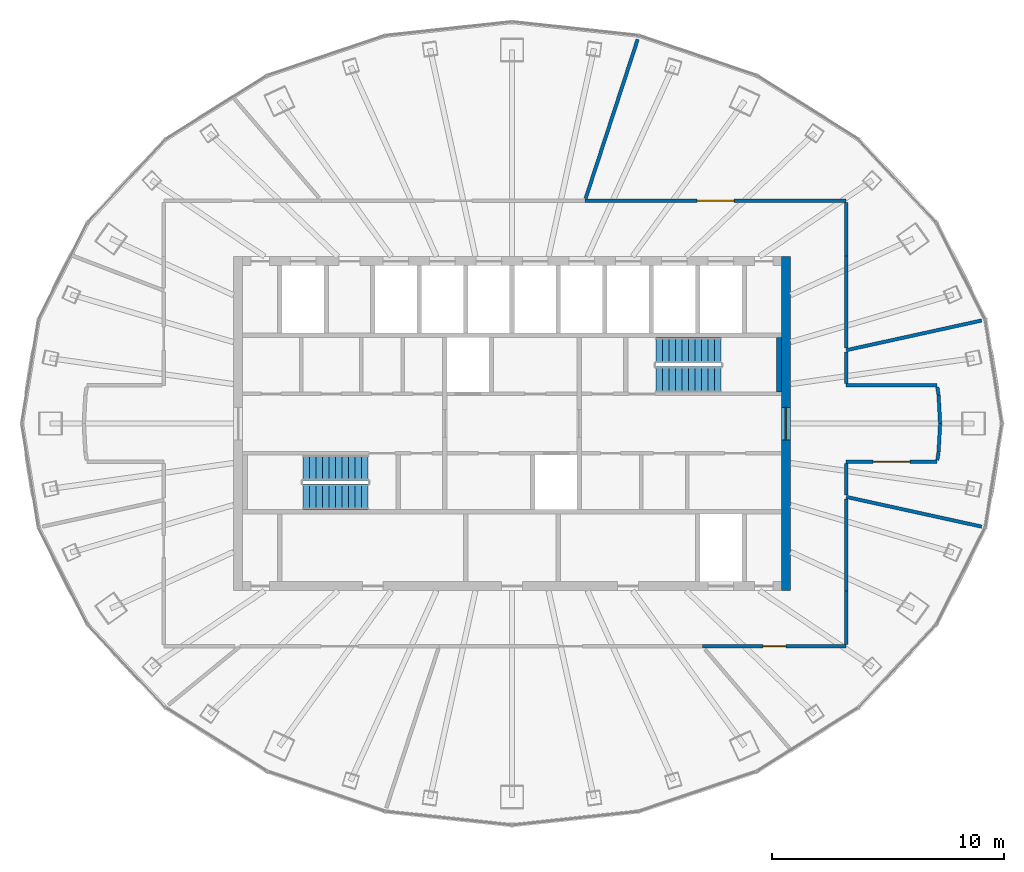
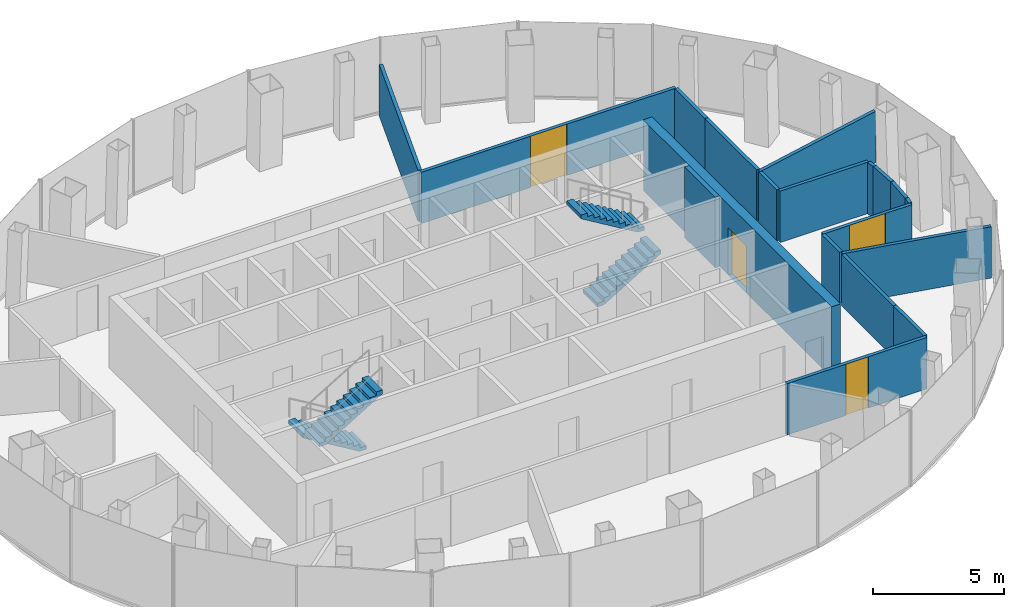
# One storey, part 10 of 11: 19 walls, 4 doors, 4 stair flights, 4 openings, 2 elements without a shape of their own.
"""IFC4 building model written with IfcOpenShell, lengths in metres."""

from ifc_helpers import new_model, si_unit, direction, frame, frame_2d, origin, place, context, subcontext, project, spatial, polyline, rectangle, outline, extrude, material, layer, layer_set, type_object, element, fill, aggregate, save


model = new_model("IFC4")

# Units and contexts
model_context = context("Model", 3, precision=1e-05, world=origin(), true_north=direction((0.0, 1.0)))
body_context = subcontext(model_context, "Body", "Model", "MODEL_VIEW")
ifc_project = project(units=[si_unit("LENGTHUNIT", "METRE"), si_unit("AREAUNIT", "SQUARE_METRE"), si_unit("VOLUMEUNIT", "CUBIC_METRE"), si_unit("PLANEANGLEUNIT", "RADIAN"), si_unit("MASSUNIT", "GRAM", prefix="KILO")], contexts=[model_context])

# Site, building, storey
site_placement = place(None, origin())
site = spatial("IfcSite", under=ifc_project, at=site_placement, CompositionType="ELEMENT")
building_placement = place(site_placement, origin())
building = spatial("IfcBuilding", under=site, at=building_placement, Name="Siaravel Broadcast Tower", CompositionType="ELEMENT")
storey_placement = place(building_placement, frame((0.0, 0.0, 246.699951171875)))
storey = spatial("IfcBuildingStorey", under=building, at=storey_placement, Name="L60", CompositionType="ELEMENT", Elevation=246.699951171875)

# Wall, opening, door
ifc_material_1 = material(Name="Concrete C60/75", Category="concrete")
ifc_layer_1 = layer(ifc_material_1, 0.39990234375)
ifc_layer_set_1 = layer_set([ifc_layer_1], Name="Concrete C60/75")
wall_type_1 = type_object("IfcWallType", Name="Core wall 400", PredefinedType="SHEAR", material=ifc_layer_set_1)
wall_1_placement = place(storey_placement, frame((11.800048828125, -7.199951171875, 0.0), z_axis=(0.0, 0.0, 1.0), x_axis=(0.0, 1.0, 0.0)))
wall_1 = element("IfcWall", 1, at=wall_1_placement, inside=storey, type_object=wall_type_1, Name="L60 core wall OE", PredefinedType="SHEAR", context=body_context, shape_type="SweptSolid", body=[
    extrude(rectangle(XDim=14.39990234375, YDim=0.39990234375, at=frame_2d((7.199951171875, 0.0))), origin(), (0.0, 0.0, 1.0), 3.300048828125),
])
opening_1_placement = place(wall_1_placement, frame((6.5, 0.0, 0.0)))
opening_1 = element("IfcOpeningElement", 2, at=opening_1_placement, cuts=wall_1, Name="Opening L60-DX-E", PredefinedType="OPENING", context=body_context, shape_type="SweptSolid", body=[
    extrude(rectangle(XDim=1.39990234375, YDim=2.199951171875, at=frame_2d((0.699951171875, 1.10009765625))), frame((0.0, 0.2099609375, 0.0), z_axis=(0.0, -1.0, 0.0), x_axis=(1.0, 0.0, 0.0)), (0.0, 0.0, 1.0), 0.419921875),
])
ifc_material_2 = material(Name="Steel", Category="steel")
door_type_1 = type_object("IfcDoorType", Name="Core exit door 1400", OperationType="DOUBLE_DOOR_SINGLE_SWING", PredefinedType="DOOR", material=ifc_material_2)
door_1_placement = place(opening_1_placement, origin())
door_1 = element("IfcDoor", 3, at=door_1_placement, inside=storey, type_object=door_type_1, Name="L60 door DX-E", OperationType="DOUBLE_DOOR_SINGLE_SWING", OverallHeight=2.199951171875, OverallWidth=1.39990234375, PredefinedType="DOOR", context=body_context, shape_type="SweptSolid", body=[
    extrude(rectangle(XDim=1.39990234375, YDim=2.199951171875, at=frame_2d((0.699951171875, 1.10009765625))), frame((0.0, 0.02490234375, 0.0), z_axis=(0.0, -1.0, 0.0), x_axis=(1.0, 0.0, 0.0)), (0.0, 0.0, 1.0), 0.050048828125),
])
fill(opening_1, door_1)

ifc_material_3 = material(Name="Gypsum board partition", Category="gypsum")
ifc_layer_2 = layer(ifc_material_3, 0.14990234375)
ifc_layer_set_2 = layer_set([ifc_layer_2], Name="Gypsum board partition")
wall_type_2 = type_object("IfcWallType", Name="Corridor wall 150", PredefinedType="PARTITIONING", material=ifc_layer_set_2)
wall_2_placement = place(storey_placement, frame((14.39990234375, 9.60009765625, 0.0), z_axis=(0.0, 0.0, 1.0), x_axis=(-1.0, 0.0, 0.0)))
wall_2 = element("IfcWall", 4, at=wall_2_placement, inside=storey, type_object=wall_type_2, Name="L60 partition 3", PredefinedType="PARTITIONING", context=body_context, shape_type="SweptSolid", body=[
    extrude(rectangle(XDim=11.258544921875, YDim=0.14990234375, at=frame_2d((5.62939453125, 0.0))), origin(), (0.0, 0.0, 1.0), 2.400146484375),
])
opening_2_placement = place(wall_2_placement, frame((4.829345703125, 0.0, 0.0)))
opening_2 = element("IfcOpeningElement", 5, at=opening_2_placement, cuts=wall_2, Name="Opening L60-007", PredefinedType="OPENING", context=body_context, shape_type="SweptSolid", body=[
    extrude(rectangle(XDim=1.60009765625, YDim=2.39990234375, at=frame_2d((0.800048828125, 1.199951171875))), frame((0.0, 0.0849609375, 0.0), z_axis=(0.0, -1.0, 0.0), x_axis=(1.0, 0.0, 0.0)), (0.0, 0.0, 1.0), 0.169921875),
])
ifc_material_4 = material(Name="Timber veneer", Category="wood")
door_type_2 = type_object("IfcDoorType", Name="Restaurant double door 1600", OperationType="DOUBLE_DOOR_SINGLE_SWING", PredefinedType="DOOR", material=ifc_material_4)
door_2_placement = place(opening_2_placement, origin())
door_2 = element("IfcDoor", 6, at=door_2_placement, inside=storey, type_object=door_type_2, Name="L60 door to Restaurant", OperationType="DOUBLE_DOOR_SINGLE_SWING", OverallHeight=2.39990234375, OverallWidth=1.60009765625, PredefinedType="DOOR", context=body_context, shape_type="SweptSolid", body=[
    extrude(rectangle(XDim=1.60009765625, YDim=2.39990234375, at=frame_2d((0.800048828125, 1.199951171875))), frame((0.0, 0.02490234375, 0.0), z_axis=(0.0, -1.0, 0.0), x_axis=(1.0, 0.0, 0.0)), (0.0, 0.0, 1.0), 0.050048828125),
])
fill(opening_2, door_2)

wall_3_placement = place(storey_placement, frame((8.20654296875, -9.60009765625, 0.0), z_axis=(0.0, 0.0, 1.0), x_axis=(1.0, 0.0, 0.0)))
wall_3 = element("IfcWall", 7, at=wall_3_placement, inside=storey, type_object=wall_type_2, Name="L60 partition 8", PredefinedType="PARTITIONING", context=body_context, shape_type="SweptSolid", body=[
    extrude(rectangle(XDim=6.193359375, YDim=0.14990234375, at=frame_2d((3.0966796875, 0.0))), origin(), (0.0, 0.0, 1.0), 2.400146484375),
])
opening_3_placement = place(wall_3_placement, frame((2.5966796875, 0.0, 0.0)))
opening_3 = element("IfcOpeningElement", 8, at=opening_3_placement, cuts=wall_3, Name="Opening L60-005", PredefinedType="OPENING", context=body_context, shape_type="SweptSolid", body=[
    extrude(rectangle(XDim=1.0, YDim=2.39990234375, at=frame_2d((0.5, 1.199951171875))), frame((0.0, 0.0849609375, 0.0), z_axis=(0.0, -1.0, 0.0), x_axis=(1.0, 0.0, 0.0)), (0.0, 0.0, 1.0), 0.169921875),
])
door_type_3 = type_object("IfcDoorType", Name="Executive office door 1000", OperationType="SINGLE_SWING_LEFT", PredefinedType="DOOR", material=ifc_material_4)
door_3_placement = place(opening_3_placement, origin())
door_3 = element("IfcDoor", 9, at=door_3_placement, inside=storey, type_object=door_type_3, Name="L60 door to Executive office", OperationType="SINGLE_SWING_LEFT", OverallHeight=2.39990234375, OverallWidth=1.0, PredefinedType="DOOR", context=body_context, shape_type="SweptSolid", body=[
    extrude(rectangle(XDim=1.0, YDim=2.39990234375, at=frame_2d((0.5, 1.199951171875))), frame((0.0, 0.02490234375, 0.0), z_axis=(0.0, -1.0, 0.0), x_axis=(1.0, 0.0, 0.0)), (0.0, 0.0, 1.0), 0.050048828125),
])
fill(opening_3, door_3)

# Walls
for number, where, z_axis, x_axis, name in (
    (10, (14.39990234375, -7.2119140625, 0.0), (0.0, 0.0, 1.0), (0.0, 1.0, 0.0), "L60 partition 16"),
    (11, (14.39990234375, 3.255859375, 0.0), (0.0, 0.0, 1.0), (0.0, 1.0, 0.0), "L60 partition 17"),
):
    element("IfcWall", number, at=place(storey_placement, frame(where, z_axis=z_axis, x_axis=x_axis)), inside=storey, type_object=wall_type_2, Name=name, PredefinedType="PARTITIONING", context=body_context, shape_type="SweptSolid", body=[
        extrude(rectangle(XDim=3.9560546875, YDim=0.14990234375, at=frame_2d((1.97802734375, 0.0))), origin(), (0.0, 0.0, 1.0), 2.400146484375),
    ])

# Wall, opening, door
wall_4_placement = place(storey_placement, frame((14.39990234375, -1.64990234375, 0.0), z_axis=(0.0, 0.0, 1.0), x_axis=(1.0, 0.0, 0.0)))
wall_4 = element("IfcWall", 12, at=wall_4_placement, inside=storey, type_object=wall_type_2, Name="L60 partition 20", PredefinedType="PARTITIONING", context=body_context, shape_type="SweptSolid", body=[
    extrude(rectangle(XDim=3.910888671875, YDim=0.14990234375, at=frame_2d((1.95556640625, 0.0))), origin(), (0.0, 0.0, 1.0), 2.400146484375),
])
opening_4_placement = place(wall_4_placement, frame((1.155517578125, 0.0, 0.0)))
opening_4 = element("IfcOpeningElement", 13, at=opening_4_placement, cuts=wall_4, Name="Opening L60-006", PredefinedType="OPENING", context=body_context, shape_type="SweptSolid", body=[
    extrude(rectangle(XDim=1.60009765625, YDim=2.39990234375, at=frame_2d((0.800048828125, 1.199951171875))), frame((0.0, 0.0849609375, 0.0), z_axis=(0.0, -1.0, 0.0), x_axis=(1.0, 0.0, 0.0)), (0.0, 0.0, 1.0), 0.169921875),
])
door_4_placement = place(opening_4_placement, origin())
door_4 = element("IfcDoor", 14, at=door_4_placement, inside=storey, type_object=door_type_2, Name="L60 door to Lounge", OperationType="DOUBLE_DOOR_SINGLE_SWING", OverallHeight=2.39990234375, OverallWidth=1.60009765625, PredefinedType="DOOR", context=body_context, shape_type="SweptSolid", body=[
    extrude(rectangle(XDim=1.60009765625, YDim=2.39990234375, at=frame_2d((0.800048828125, 1.199951171875))), frame((0.0, 0.02490234375, 0.0), z_axis=(0.0, -1.0, 0.0), x_axis=(1.0, 0.0, 0.0)), (0.0, 0.0, 1.0), 0.050048828125),
])
fill(opening_4, door_4)

# Walls
wall_5_placement = place(storey_placement, frame((18.310791015625, 1.64990234375, 0.0), z_axis=(0.0, 0.0, 1.0), x_axis=(-1.0, 0.0, 0.0)))
element("IfcWall", 15, at=wall_5_placement, inside=storey, type_object=wall_type_2, Name="L60 partition 21", PredefinedType="PARTITIONING", context=body_context, shape_type="SweptSolid", body=[
    extrude(rectangle(XDim=3.910888671875, YDim=0.14990234375, at=frame_2d((1.95556640625, 0.0))), origin(), (0.0, 0.0, 1.0), 2.400146484375),
])
for number, where, z_axis, x_axis, name in (
    (16, (14.39990234375, -9.52294921875, 0.0), (0.0, 0.0, 1.0), (0.0, 1.0, 0.0), "L60 partition 27"),
    (17, (14.39990234375, 7.212890625, 0.0), (0.0, 0.0, 1.0), (0.0, 1.0, 0.0), "L60 partition 28"),
):
    element("IfcWall", number, at=place(storey_placement, frame(where, z_axis=z_axis, x_axis=x_axis)), inside=storey, type_object=wall_type_2, Name=name, PredefinedType="PARTITIONING", context=body_context, shape_type="SweptSolid", body=[
        extrude(rectangle(XDim=2.31005859375, YDim=0.14990234375, at=frame_2d((1.155029296875, 0.0))), origin(), (0.0, 0.0, 1.0), 2.400146484375),
    ])
for number, where, z_axis, x_axis, name in (
    (18, (14.39990234375, -3.085205078125, 0.0), (0.0, 0.0, 1.0), (0.0, 1.0, 0.0), "L60 partition 30"),
    (19, (14.39990234375, 1.72705078125, 0.0), (0.0, 0.0, 1.0), (0.0, 1.0, 0.0), "L60 partition 31"),
):
    element("IfcWall", number, at=place(storey_placement, frame(where, z_axis=z_axis, x_axis=x_axis)), inside=storey, type_object=wall_type_2, Name=name, PredefinedType="PARTITIONING", context=body_context, shape_type="SweptSolid", body=[
        extrude(rectangle(XDim=1.358154296875, YDim=0.14990234375, at=frame_2d((0.67919921875, 0.0))), origin(), (0.0, 0.0, 1.0), 2.400146484375),
    ])
wall_6_placement = place(storey_placement, frame((18.37890625, -1.2255859375, 0.0), z_axis=(0.0, 0.0, 1.0), x_axis=(0.053310538, 0.998577982, 0.0)))
element("IfcWall", 20, at=wall_6_placement, inside=storey, type_object=wall_type_2, Name="L60 partition 35", PredefinedType="PARTITIONING", context=body_context, shape_type="SweptSolid", body=[
    extrude(rectangle(XDim=1.227294921875, YDim=0.14990234375, at=frame_2d((0.61376953125, 0.0))), origin(), (0.0, 0.0, 1.0), 2.400146484375),
])
wall_7_placement = place(storey_placement, frame((18.443603515625, 0.010009765625, 0.0), z_axis=(0.0, 0.0, 1.0), x_axis=(-0.053148314, 0.99858663, 0.0)))
element("IfcWall", 21, at=wall_7_placement, inside=storey, type_object=wall_type_2, Name="L60 partition 36", PredefinedType="PARTITIONING", context=body_context, shape_type="SweptSolid", body=[
    extrude(rectangle(XDim=1.21728515625, YDim=0.14990234375, at=frame_2d((0.608642578125, 0.0))), origin(), (0.0, 0.0, 1.0), 2.400146484375),
])
for number, where, z_axis, x_axis, name in (
    (22, (18.32275390625, -1.574951171875, 0.0), (0.0, 0.0, 1.0), (0.158406053, 0.987374054, 0.0), "L60 partition 39"),
    (23, (18.377197265625, 1.235595703125, 0.0), (0.0, 0.0, 1.0), (-0.158406053, 0.987374054, 0.0), "L60 partition 40"),
):
    element("IfcWall", number, at=place(storey_placement, frame(where, z_axis=z_axis, x_axis=x_axis)), inside=storey, type_object=wall_type_2, Name=name, PredefinedType="PARTITIONING", context=body_context, shape_type="SweptSolid", body=[
        extrude(rectangle(XDim=0.34375, YDim=0.14990234375, at=frame_2d((0.171875, 0.0))), origin(), (0.0, 0.0, 1.0), 2.400146484375),
    ])
ifc_layer_3 = layer(ifc_material_3, 0.14990234375)
ifc_layer_set_3 = layer_set([ifc_layer_3], Name="Gypsum board partition")
wall_type_3 = type_object("IfcWallType", Name="Room partition 150", PredefinedType="PARTITIONING", material=ifc_layer_set_3)
wall_8_placement = place(storey_placement, frame((5.4150390625, 16.553955078125, 0.0), z_axis=(0.0, 0.0, 1.0), x_axis=(-0.31090061, -0.950442429, 0.0)))
element("IfcWall", 24, at=wall_8_placement, inside=storey, type_object=wall_type_3, Name="L60 partition 6", PredefinedType="PARTITIONING", context=body_context, shape_type="SweptSolid", body=[
    extrude(rectangle(XDim=7.211181640625, YDim=0.14990234375, at=frame_2d((3.60546875, 0.0))), origin(), (0.0, 0.0, 1.0), 2.400146484375),
])
wall_9_placement = place(storey_placement, frame((20.23291015625, -4.440673828125, 0.0), z_axis=(0.0, 0.0, 1.0), x_axis=(-0.976749355, 0.214384464, 0.0)))
element("IfcWall", 25, at=wall_9_placement, inside=storey, type_object=wall_type_3, Name="L60 partition 9", PredefinedType="PARTITIONING", context=body_context, shape_type="SweptSolid", body=[
    extrude(rectangle(XDim=5.971923828125, YDim=0.14990234375, at=frame_2d((2.98583984375, 0.0))), origin(), (0.0, 0.0, 1.0), 2.400146484375),
])
wall_10_placement = place(storey_placement, frame((20.2314453125, 4.4404296875, 0.0), z_axis=(0.0, 0.0, 1.0), x_axis=(-0.976746641, -0.214396828, 0.0)))
element("IfcWall", 26, at=wall_10_placement, inside=storey, type_object=wall_type_3, Name="L60 partition 10", PredefinedType="PARTITIONING", context=body_context, shape_type="SweptSolid", body=[
    extrude(rectangle(XDim=5.970458984375, YDim=0.14990234375, at=frame_2d((2.9853515625, 0.0))), origin(), (0.0, 0.0, 1.0), 2.400146484375),
])
ifc_layer_4 = layer(ifc_material_1, 0.199951171875)
ifc_layer_set_4 = layer_set([ifc_layer_4], Name="Concrete C60/75")
wall_type_4 = type_object("IfcWallType", Name="Shaft wall 200", PredefinedType="SHEAR", material=ifc_layer_set_4)
wall_11_placement = place(storey_placement, frame((11.5, 1.35009765625, 0.0), z_axis=(0.0, 0.0, 1.0), x_axis=(0.0, 1.0, 0.0)))
element("IfcWall", 27, at=wall_11_placement, inside=storey, type_object=wall_type_4, Name="L60 core wall ST2E", PredefinedType="SHEAR", context=body_context, shape_type="SweptSolid", body=[
    extrude(rectangle(XDim=2.349853515625, YDim=0.199951171875, at=frame_2d((1.1748046875, 0.0))), origin(), (0.0, 0.0, 1.0), 3.300048828125),
])

# Stair, stair flights
ifc_material_5 = material(Name="Concrete C40/50", Category="concrete")
stair_type = type_object("IfcStairType", Name="Core exit stair", PredefinedType="HALF_TURN_STAIR", material=ifc_material_5)
stair_1_placement = place(storey_placement, origin())
stair_1 = element("IfcStair", 28, at=stair_1_placement, inside=storey, type_object=stair_type, Name="L60 Exit stair ST-1", PredefinedType="HALF_TURN_STAIR")
stair_flight_type = type_object("IfcStairFlightType", Name="Stair flight 1100", PredefinedType="STRAIGHT", material=ifc_material_5)
stair_flight_1_placement = place(storey_placement, frame((-6.199951171875, -1.89990234375, 0.0), z_axis=(0.0, 0.0, 1.0), x_axis=(-1.0, 0.0, 0.0)))
stair_flight_1 = element("IfcStairFlight", 29, at=stair_flight_1_placement, type_object=stair_flight_type, Name="ST-1 flight 1", NumberOfRisers=11, NumberOfTreads=10, PredefinedType="STRAIGHT", RiserHeight=0.1681818, TreadLength=0.28, context=body_context, shape_type="SweptSolid", body=[
    extrude(outline(polyline([(0.0, 0.0), (0.0, 0.168212890625), (0.280029296875, 0.168212890625), (0.280029296875, 0.33642578125), (0.56005859375, 0.33642578125), (0.56005859375, 0.504638671875), (0.840087890625, 0.504638671875), (0.840087890625, 0.672607421875), (1.1201171875, 0.672607421875), (1.1201171875, 0.8408203125), (1.39990234375, 0.8408203125), (1.39990234375, 1.009033203125), (1.679931640625, 1.009033203125), (1.679931640625, 1.17724609375), (1.9599609375, 1.17724609375), (1.9599609375, 1.345458984375), (2.239990234375, 1.345458984375), (2.239990234375, 1.513671875), (2.52001953125, 1.513671875), (2.52001953125, 1.681884765625), (2.800048828125, 1.681884765625), (2.800048828125, 1.85009765625), (2.800048828125, 1.5068359375), (0.291015625, 0.0), (0.0, 0.0)])), frame((0.0, 0.550048828125, 0.0), z_axis=(0.0, -1.0, 0.0), x_axis=(1.0, 0.0, 0.0)), (0.0, 0.0, 1.0), 1.10009765625),
])
stair_flight_2_placement = place(storey_placement, frame((-9.0, -3.14990234375, 1.85009765625), z_axis=(0.0, 0.0, 1.0), x_axis=(1.0, 0.0, 0.0)))
stair_flight_2 = element("IfcStairFlight", 30, at=stair_flight_2_placement, type_object=stair_flight_type, Name="ST-1 flight 2", NumberOfRisers=11, NumberOfTreads=10, PredefinedType="STRAIGHT", RiserHeight=0.1681818, TreadLength=0.28, context=body_context, shape_type="SweptSolid", body=[
    extrude(outline(polyline([(0.0, 0.0), (0.0, 0.168212890625), (0.280029296875, 0.168212890625), (0.280029296875, 0.33642578125), (0.56005859375, 0.33642578125), (0.56005859375, 0.504638671875), (0.840087890625, 0.504638671875), (0.840087890625, 0.672607421875), (1.1201171875, 0.672607421875), (1.1201171875, 0.8408203125), (1.39990234375, 0.8408203125), (1.39990234375, 1.009033203125), (1.679931640625, 1.009033203125), (1.679931640625, 1.17724609375), (1.9599609375, 1.17724609375), (1.9599609375, 1.345458984375), (2.239990234375, 1.345458984375), (2.239990234375, 1.513671875), (2.52001953125, 1.513671875), (2.52001953125, 1.681884765625), (2.800048828125, 1.681884765625), (2.800048828125, 1.85009765625), (2.800048828125, 1.5068359375), (0.291015625, 0.0), (0.0, 0.0)])), frame((0.0, 0.550048828125, 0.0), z_axis=(0.0, -1.0, 0.0), x_axis=(1.0, 0.0, 0.0)), (0.0, 0.0, 1.0), 1.10009765625),
])
aggregate(stair_1, [stair_flight_1, stair_flight_2])

stair_2_placement = place(storey_placement, origin())
stair_2 = element("IfcStair", 31, at=stair_2_placement, inside=storey, type_object=stair_type, Name="L60 Exit stair ST-2", PredefinedType="HALF_TURN_STAIR")
stair_flight_3_placement = place(storey_placement, frame((6.199951171875, 1.89990234375, 0.0), z_axis=(0.0, 0.0, 1.0), x_axis=(1.0, 0.0, 0.0)))
stair_flight_3 = element("IfcStairFlight", 32, at=stair_flight_3_placement, type_object=stair_flight_type, Name="ST-2 flight 1", NumberOfRisers=11, NumberOfTreads=10, PredefinedType="STRAIGHT", RiserHeight=0.1681818, TreadLength=0.28, context=body_context, shape_type="SweptSolid", body=[
    extrude(outline(polyline([(0.0, 0.0), (0.0, 0.168212890625), (0.280029296875, 0.168212890625), (0.280029296875, 0.33642578125), (0.56005859375, 0.33642578125), (0.56005859375, 0.504638671875), (0.840087890625, 0.504638671875), (0.840087890625, 0.672607421875), (1.1201171875, 0.672607421875), (1.1201171875, 0.8408203125), (1.39990234375, 0.8408203125), (1.39990234375, 1.009033203125), (1.679931640625, 1.009033203125), (1.679931640625, 1.17724609375), (1.9599609375, 1.17724609375), (1.9599609375, 1.345458984375), (2.239990234375, 1.345458984375), (2.239990234375, 1.513671875), (2.52001953125, 1.513671875), (2.52001953125, 1.681884765625), (2.800048828125, 1.681884765625), (2.800048828125, 1.85009765625), (2.800048828125, 1.5068359375), (0.291015625, 0.0), (0.0, 0.0)])), frame((0.0, 0.550048828125, 0.0), z_axis=(0.0, -1.0, 0.0), x_axis=(1.0, 0.0, 0.0)), (0.0, 0.0, 1.0), 1.10009765625),
])
stair_flight_4_placement = place(storey_placement, frame((9.0, 3.14990234375, 1.85009765625), z_axis=(0.0, 0.0, 1.0), x_axis=(-1.0, 0.0, 0.0)))
stair_flight_4 = element("IfcStairFlight", 33, at=stair_flight_4_placement, type_object=stair_flight_type, Name="ST-2 flight 2", NumberOfRisers=11, NumberOfTreads=10, PredefinedType="STRAIGHT", RiserHeight=0.1681818, TreadLength=0.28, context=body_context, shape_type="SweptSolid", body=[
    extrude(outline(polyline([(0.0, 0.0), (0.0, 0.168212890625), (0.280029296875, 0.168212890625), (0.280029296875, 0.33642578125), (0.56005859375, 0.33642578125), (0.56005859375, 0.504638671875), (0.840087890625, 0.504638671875), (0.840087890625, 0.672607421875), (1.1201171875, 0.672607421875), (1.1201171875, 0.8408203125), (1.39990234375, 0.8408203125), (1.39990234375, 1.009033203125), (1.679931640625, 1.009033203125), (1.679931640625, 1.17724609375), (1.9599609375, 1.17724609375), (1.9599609375, 1.345458984375), (2.239990234375, 1.345458984375), (2.239990234375, 1.513671875), (2.52001953125, 1.513671875), (2.52001953125, 1.681884765625), (2.800048828125, 1.681884765625), (2.800048828125, 1.85009765625), (2.800048828125, 1.5068359375), (0.291015625, 0.0), (0.0, 0.0)])), frame((0.0, 0.550048828125, 0.0), z_axis=(0.0, -1.0, 0.0), x_axis=(1.0, 0.0, 0.0)), (0.0, 0.0, 1.0), 1.10009765625),
])
aggregate(stair_2, [stair_flight_3, stair_flight_4])

save(model, "model.ifc")
